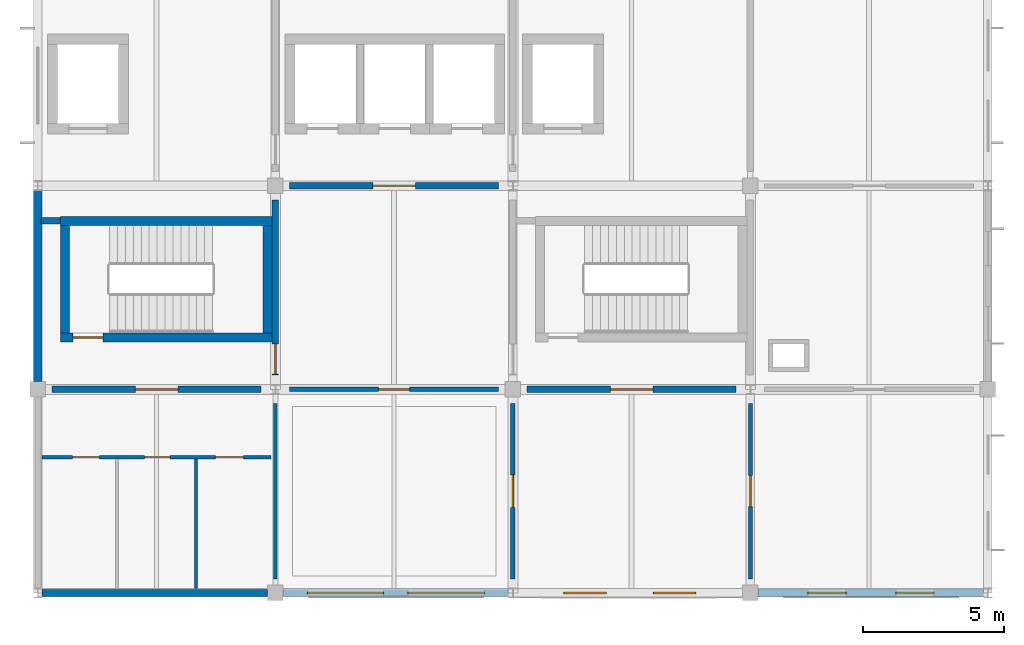
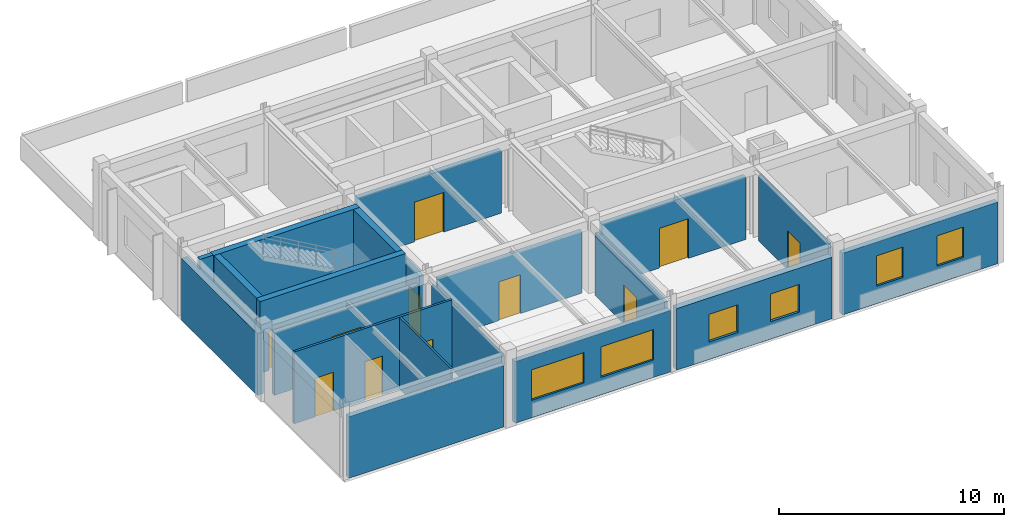
# One storey, part 2 of 5: 20 walls, 11 doors, 6 windows, 17 openings.
"""IFC4 building model written with IfcOpenShell, lengths in metres."""

from ifc_helpers import new_model, si_unit, derived_unit, direction, frame, frame_2d, origin, place, context, subcontext, project, spatial, rectangle, extrude, material, layer, layer_set, type_object, element, fill, save


model = new_model("IFC4")

# Units and contexts
model_context = context("Model", 3, precision=1e-05, world=origin(), true_north=direction((0.0, 1.0)))
body_context = subcontext(model_context, "Body", "Model", "MODEL_VIEW")
ifc_project = project(units=[si_unit("LENGTHUNIT", "METRE"), si_unit("AREAUNIT", "SQUARE_METRE"), si_unit("VOLUMEUNIT", "CUBIC_METRE"), si_unit("PLANEANGLEUNIT", "RADIAN"), si_unit("MASSUNIT", "GRAM", prefix="KILO"), derived_unit("THERMALTRANSMITTANCEUNIT", [(si_unit("MASSUNIT", "GRAM", prefix="KILO"), 1), (si_unit("TIMEUNIT", "SECOND"), -3), (si_unit("THERMODYNAMICTEMPERATUREUNIT", "KELVIN"), -1)])], contexts=[model_context])

# Site, building, storey
site_placement = place(None, origin())
site = spatial("IfcSite", under=ifc_project, at=site_placement, CompositionType="ELEMENT")
building_placement = place(site_placement, origin())
building = spatial("IfcBuilding", under=site, at=building_placement, Name="Veldstrom Oceanarium and Marine Research Institute", CompositionType="ELEMENT")
storey_placement = place(building_placement, frame((0.0, 0.0, 64.800048828125)))
storey = spatial("IfcBuildingStorey", under=building, at=storey_placement, Name="L14", CompositionType="ELEMENT", Elevation=64.800048828125)

# Wall
ifc_material_1 = material(Name="Masonry Cavity Wall", Category="masonry")
ifc_layer_1 = layer(ifc_material_1, 0.31005859375)
ifc_layer_set_1 = layer_set([ifc_layer_1], Name="ARC-WAL-EW1")
wall_type_1 = type_object("IfcWallType", Name="ARC-WAL-EW1", PredefinedType="SOLIDWALL", material=ifc_layer_set_1)
wall_1_placement = place(storey_placement, frame((75.60009765625, 50.675048828125, 0.0), z_axis=(0.0, 0.0, 1.0), x_axis=(0.0, 1.0, 0.0)))
element("IfcWall", 1, at=wall_1_placement, inside=storey, type_object=wall_type_1, Name="Exterior Facade Wall EW1 L14-269", PredefinedType="SOLIDWALL", context=body_context, shape_type="SweptSolid", body=[
    extrude(rectangle(XDim=6.7548828125, YDim=0.31005859375, at=frame_2d((3.37744140625, 0.0))), origin(), (0.0, 0.0, 1.0), 3.344970703125),
])

# Wall, openings, windows
wall_2_placement = place(storey_placement, frame((92.550048828125, 43.199951171875, 0.0), z_axis=(0.0, 0.0, 1.0), x_axis=(1.0, 0.0, 0.0)))
wall_2 = element("IfcWall", 2, at=wall_2_placement, inside=storey, type_object=wall_type_1, Name="Exterior Facade Wall EW1 L14-274", PredefinedType="SOLIDWALL", context=body_context, shape_type="SweptSolid", body=[
    extrude(rectangle(XDim=7.974853515625, YDim=0.31005859375, at=frame_2d((3.9873046875, 0.0))), origin(), (0.0, 0.0, 1.0), 3.344970703125),
])
opening_1_placement = place(wall_2_placement, frame((1.658203125, 0.0, 0.949951171875)))
opening_1 = element("IfcOpeningElement", 3, at=opening_1_placement, cuts=wall_2, Name="Opening W15", PredefinedType="OPENING", context=body_context, shape_type="SweptSolid", body=[
    extrude(rectangle(XDim=1.5, YDim=1.5, at=frame_2d((0.75, 0.75))), frame((0.0, 0.1650390625, 0.0), z_axis=(0.0, -1.0, 0.0), x_axis=(1.0, 0.0, 0.0)), (0.0, 0.0, 1.0), 0.330078125),
])
opening_2_placement = place(wall_2_placement, frame((4.816650390625, 0.0, 0.949951171875)))
opening_2 = element("IfcOpeningElement", 4, at=opening_2_placement, cuts=wall_2, Name="Opening W15", PredefinedType="OPENING", context=body_context, shape_type="SweptSolid", body=[
    extrude(rectangle(XDim=1.5, YDim=1.5, at=frame_2d((0.75, 0.75))), frame((0.0, 0.1650390625, 0.0), z_axis=(0.0, -1.0, 0.0), x_axis=(1.0, 0.0, 0.0)), (0.0, 0.0, 1.0), 0.330078125),
])
ifc_material_2 = material(Name="Double Glazed Low-E IGU", Category="glass")
window_type_1 = type_object("IfcWindowType", Name="ARC-WIN-W15", PartitioningType="SINGLE_PANEL", PredefinedType="WINDOW", material=ifc_material_2)
window_1_placement = place(opening_1_placement, origin())
window_1 = element("IfcWindow", 5, at=window_1_placement, inside=storey, type_object=window_type_1, Name="Facade Window W15 L14-0266", OverallHeight=1.5, OverallWidth=1.5, PartitioningType="SINGLE_PANEL", PredefinedType="WINDOW", context=body_context, shape_type="SweptSolid", body=[
    extrude(rectangle(XDim=1.5, YDim=1.5, at=frame_2d((0.75, 0.75))), frame((0.0, 0.030029296875, 0.0), z_axis=(0.0, -1.0, 0.0), x_axis=(1.0, 0.0, 0.0)), (0.0, 0.0, 1.0), 0.06005859375),
])
fill(opening_1, window_1)
window_2_placement = place(opening_2_placement, origin())
window_2 = element("IfcWindow", 6, at=window_2_placement, inside=storey, type_object=window_type_1, Name="Facade Window W15 L14-0267", OverallHeight=1.5, OverallWidth=1.5, PartitioningType="SINGLE_PANEL", PredefinedType="WINDOW", context=body_context, shape_type="SweptSolid", body=[
    extrude(rectangle(XDim=1.5, YDim=1.5, at=frame_2d((0.75, 0.75))), frame((0.0, 0.030029296875, 0.0), z_axis=(0.0, -1.0, 0.0), x_axis=(1.0, 0.0, 0.0)), (0.0, 0.0, 1.0), 0.06005859375),
])
fill(opening_2, window_2)

ifc_material_3 = material(Name="Masonry Cavity Wall", Category="masonry")
ifc_layer_2 = layer(ifc_material_3, 0.27001953125)
ifc_layer_set_2 = layer_set([ifc_layer_2], Name="ARC-WAL-EW3")
wall_type_2 = type_object("IfcWallType", Name="ARC-WAL-EW3", PredefinedType="SOLIDWALL", material=ifc_layer_set_2)
wall_3_placement = place(storey_placement, frame((101.074951171875, 43.199951171875, 0.0), z_axis=(0.0, 0.0, 1.0), x_axis=(1.0, 0.0, 0.0)))
wall_3 = element("IfcWall", 7, at=wall_3_placement, inside=storey, type_object=wall_type_2, Name="Exterior Facade Wall EW3 L14-276", PredefinedType="SOLIDWALL", context=body_context, shape_type="SweptSolid", body=[
    extrude(rectangle(XDim=7.97509765625, YDim=0.27001953125, at=frame_2d((3.987548828125, 0.0))), origin(), (0.0, 0.0, 1.0), 3.344970703125),
])
opening_3_placement = place(wall_3_placement, frame((1.75830078125, 0.0, 0.949951171875)))
opening_3 = element("IfcOpeningElement", 8, at=opening_3_placement, cuts=wall_3, Name="Opening W24", PredefinedType="OPENING", context=body_context, shape_type="SweptSolid", body=[
    extrude(rectangle(XDim=1.35009765625, YDim=1.64990234375, at=frame_2d((0.675048828125, 0.824951171875))), frame((0.0, 0.14501953125, 0.0), z_axis=(0.0, -1.0, 0.0), x_axis=(1.0, 0.0, 0.0)), (0.0, 0.0, 1.0), 0.2900390625),
])
opening_4_placement = place(wall_3_placement, frame((4.86669921875, 0.0, 0.949951171875)))
opening_4 = element("IfcOpeningElement", 9, at=opening_4_placement, cuts=wall_3, Name="Opening W24", PredefinedType="OPENING", context=body_context, shape_type="SweptSolid", body=[
    extrude(rectangle(XDim=1.35009765625, YDim=1.64990234375, at=frame_2d((0.675048828125, 0.824951171875))), frame((0.0, 0.14501953125, 0.0), z_axis=(0.0, -1.0, 0.0), x_axis=(1.0, 0.0, 0.0)), (0.0, 0.0, 1.0), 0.2900390625),
])
ifc_material_4 = material(Name="Double Glazed Low-E IGU", Category="glass")
window_type_2 = type_object("IfcWindowType", Name="ARC-WIN-W24", PartitioningType="SINGLE_PANEL", PredefinedType="WINDOW", material=ifc_material_4)
window_3_placement = place(opening_3_placement, origin())
window_3 = element("IfcWindow", 10, at=window_3_placement, inside=storey, type_object=window_type_2, Name="Facade Window W24 L14-0270", OverallHeight=1.64990234375, OverallWidth=1.35009765625, PartitioningType="SINGLE_PANEL", PredefinedType="WINDOW", context=body_context, shape_type="SweptSolid", body=[
    extrude(rectangle(XDim=1.35009765625, YDim=1.64990234375, at=frame_2d((0.675048828125, 0.824951171875))), frame((0.0, 0.030029296875, 0.0), z_axis=(0.0, -1.0, 0.0), x_axis=(1.0, 0.0, 0.0)), (0.0, 0.0, 1.0), 0.06005859375),
])
fill(opening_3, window_3)
window_4_placement = place(opening_4_placement, origin())
window_4 = element("IfcWindow", 11, at=window_4_placement, inside=storey, type_object=window_type_2, Name="Facade Window W24 L14-0271", OverallHeight=1.64990234375, OverallWidth=1.35009765625, PartitioningType="SINGLE_PANEL", PredefinedType="WINDOW", context=body_context, shape_type="SweptSolid", body=[
    extrude(rectangle(XDim=1.35009765625, YDim=1.64990234375, at=frame_2d((0.675048828125, 0.824951171875))), frame((0.0, 0.030029296875, 0.0), z_axis=(0.0, -1.0, 0.0), x_axis=(1.0, 0.0, 0.0)), (0.0, 0.0, 1.0), 0.06005859375),
])
fill(opening_4, window_4)

# Wall
ifc_material_5 = material(Name="Masonry Cavity Wall", Category="masonry")
ifc_layer_3 = layer(ifc_material_5, 0.25)
ifc_layer_set_3 = layer_set([ifc_layer_3], Name="ARC-WAL-EW5")
wall_type_3 = type_object("IfcWallType", Name="ARC-WAL-EW5", PredefinedType="SOLIDWALL", material=ifc_layer_set_3)
wall_4_placement = place(storey_placement, frame((75.75, 43.199951171875, 0.0), z_axis=(0.0, 0.0, 1.0), x_axis=(1.0, 0.0, 0.0)))
element("IfcWall", 12, at=wall_4_placement, inside=storey, type_object=wall_type_3, Name="Exterior Facade Wall EW5 L14-267", PredefinedType="SOLIDWALL", context=body_context, shape_type="SweptSolid", body=[
    extrude(rectangle(XDim=7.97509765625, YDim=0.25, at=frame_2d((3.987548828125, 0.0))), origin(), (0.0, 0.0, 1.0), 3.344970703125),
])

# Wall, openings, windows
wall_5_placement = place(storey_placement, frame((84.27490234375, 43.199951171875, 0.0), z_axis=(0.0, 0.0, 1.0), x_axis=(1.0, 0.0, 0.0)))
wall_5 = element("IfcWall", 13, at=wall_5_placement, inside=storey, type_object=wall_type_3, Name="Exterior Facade Wall EW5 L14-272", PredefinedType="SOLIDWALL", context=body_context, shape_type="SweptSolid", body=[
    extrude(rectangle(XDim=7.97509765625, YDim=0.25, at=frame_2d((3.987548828125, 0.0))), origin(), (0.0, 0.0, 1.0), 3.344970703125),
])
opening_5_placement = place(wall_5_placement, frame((0.8583984375, 0.0, 0.949951171875)))
opening_5 = element("IfcOpeningElement", 14, at=opening_5_placement, cuts=wall_5, Name="Opening W25", PredefinedType="OPENING", context=body_context, shape_type="SweptSolid", body=[
    extrude(rectangle(XDim=2.699951171875, YDim=1.64990234375, at=frame_2d((1.35009765625, 0.824951171875))), frame((0.0, 0.135009765625, 0.0), z_axis=(0.0, -1.0, 0.0), x_axis=(1.0, 0.0, 0.0)), (0.0, 0.0, 1.0), 0.27001953125),
])
opening_6_placement = place(wall_5_placement, frame((4.416748046875, 0.0, 0.949951171875)))
opening_6 = element("IfcOpeningElement", 15, at=opening_6_placement, cuts=wall_5, Name="Opening W25", PredefinedType="OPENING", context=body_context, shape_type="SweptSolid", body=[
    extrude(rectangle(XDim=2.699951171875, YDim=1.64990234375, at=frame_2d((1.35009765625, 0.824951171875))), frame((0.0, 0.135009765625, 0.0), z_axis=(0.0, -1.0, 0.0), x_axis=(1.0, 0.0, 0.0)), (0.0, 0.0, 1.0), 0.27001953125),
])
ifc_material_6 = material(Name="Double Glazed Low-E IGU", Category="glass")
window_type_3 = type_object("IfcWindowType", Name="ARC-WIN-W25", PartitioningType="SINGLE_PANEL", PredefinedType="WINDOW", material=ifc_material_6)
window_5_placement = place(opening_5_placement, origin())
window_5 = element("IfcWindow", 16, at=window_5_placement, inside=storey, type_object=window_type_3, Name="Facade Window W25 L14-0262", OverallHeight=1.64990234375, OverallWidth=2.699951171875, PartitioningType="SINGLE_PANEL", PredefinedType="WINDOW", context=body_context, shape_type="SweptSolid", body=[
    extrude(rectangle(XDim=2.699951171875, YDim=1.64990234375, at=frame_2d((1.35009765625, 0.824951171875))), frame((0.0, 0.030029296875, 0.0), z_axis=(0.0, -1.0, 0.0), x_axis=(1.0, 0.0, 0.0)), (0.0, 0.0, 1.0), 0.06005859375),
])
fill(opening_5, window_5)
window_6_placement = place(opening_6_placement, origin())
window_6 = element("IfcWindow", 17, at=window_6_placement, inside=storey, type_object=window_type_3, Name="Facade Window W25 L14-0263", OverallHeight=1.64990234375, OverallWidth=2.699951171875, PartitioningType="SINGLE_PANEL", PredefinedType="WINDOW", context=body_context, shape_type="SweptSolid", body=[
    extrude(rectangle(XDim=2.699951171875, YDim=1.64990234375, at=frame_2d((1.35009765625, 0.824951171875))), frame((0.0, 0.030029296875, 0.0), z_axis=(0.0, -1.0, 0.0), x_axis=(1.0, 0.0, 0.0)), (0.0, 0.0, 1.0), 0.06005859375),
])
fill(opening_6, window_6)

# Wall, opening, door
ifc_material_7 = material(Name="Masonry Fire Compartment Wall", Category="masonry")
ifc_layer_4 = layer(ifc_material_7, 0.22998046875)
ifc_layer_set_4 = layer_set([ifc_layer_4], Name="ARC-WAL-PT1")
wall_type_4 = type_object("IfcWallType", Name="ARC-WAL-PT1", PredefinedType="PARTITIONING", material=ifc_layer_set_4)
wall_6_placement = place(storey_placement, frame((76.10009765625, 50.39990234375, 0.0), z_axis=(0.0, 0.0, 1.0), x_axis=(1.0, 0.0, 0.0)))
wall_6 = element("IfcWall", 18, at=wall_6_placement, inside=storey, type_object=wall_type_4, Name="Interior Partition PT1 L14-1769", PredefinedType="PARTITIONING", context=body_context, shape_type="SweptSolid", body=[
    extrude(rectangle(XDim=7.39990234375, YDim=0.22998046875, at=frame_2d((3.699951171875, 0.0))), origin(), (0.0, 0.0, 1.0), 3.39501953125),
])
opening_7_placement = place(wall_6_placement, frame((2.949951171875, 0.0, 0.0)))
opening_7 = element("IfcOpeningElement", 19, at=opening_7_placement, cuts=wall_6, Name="Opening D-L14-1094", PredefinedType="OPENING", context=body_context, shape_type="SweptSolid", body=[
    extrude(rectangle(XDim=1.5, YDim=2.14990234375, at=frame_2d((0.75, 1.074951171875))), frame((0.0, 0.125, 0.0), z_axis=(0.0, -1.0, 0.0), x_axis=(1.0, 0.0, 0.0)), (0.0, 0.0, 1.0), 0.25),
])
ifc_material_8 = material(Name="Painted Steel Lobby Fire Door", Category="steel")
door_type_1 = type_object("IfcDoorType", Name="ARC-DOR-SD2", OperationType="DOUBLE_DOOR_SINGLE_SWING", PredefinedType="DOOR", material=ifc_material_8)
door_1_placement = place(opening_7_placement, frame((1.5, 0.0, 0.0), z_axis=(0.0, 0.0, 1.0), x_axis=(-1.0, 0.0, 0.0)))
door_1 = element("IfcDoor", 20, at=door_1_placement, inside=storey, type_object=door_type_1, Name="Interior Door D-L14-1094", OperationType="DOUBLE_DOOR_SINGLE_SWING", OverallHeight=2.14990234375, OverallWidth=1.5, PredefinedType="DOOR", context=body_context, shape_type="SweptSolid", body=[
    extrude(rectangle(XDim=1.5, YDim=2.14990234375, at=frame_2d((0.75, 1.074951171875))), frame((0.0, 0.02490234375, 0.0), z_axis=(0.0, -1.0, 0.0), x_axis=(1.0, 0.0, 0.0)), (0.0, 0.0, 1.0), 0.050048828125),
])
fill(opening_7, door_1)

wall_7_placement = place(storey_placement, frame((84.0, 50.89990234375, 0.0), z_axis=(0.0, 0.0, 1.0), x_axis=(0.0, 1.0, 0.0)))
wall_7 = element("IfcWall", 21, at=wall_7_placement, inside=storey, type_object=wall_type_4, Name="Interior Partition PT1 L14-1770", PredefinedType="PARTITIONING", context=body_context, shape_type="SweptSolid", body=[
    extrude(rectangle(XDim=6.2001953125, YDim=0.22998046875, at=frame_2d((3.10009765625, 0.0))), origin(), (0.0, 0.0, 1.0), 3.39501953125),
])
opening_8_placement = place(wall_7_placement, frame((0.050048828125, 0.0, 0.0)))
opening_8 = element("IfcOpeningElement", 22, at=opening_8_placement, cuts=wall_7, Name="Opening D-L14-1095", PredefinedType="OPENING", context=body_context, shape_type="SweptSolid", body=[
    extrude(rectangle(XDim=1.050048828125, YDim=2.14990234375, at=frame_2d((0.52490234375, 1.074951171875))), frame((0.0, 0.125, 0.0), z_axis=(0.0, -1.0, 0.0), x_axis=(1.0, 0.0, 0.0)), (0.0, 0.0, 1.0), 0.25),
])
ifc_material_9 = material(Name="Painted Steel Fire Door", Category="steel")
door_type_2 = type_object("IfcDoorType", Name="ARC-DOR-SD1", OperationType="SINGLE_SWING_LEFT", PredefinedType="DOOR", material=ifc_material_9)
door_2_placement = place(opening_8_placement, frame((1.050048828125, 0.0, 0.0), z_axis=(0.0, 0.0, 1.0), x_axis=(-1.0, 0.0, 0.0)))
door_2 = element("IfcDoor", 23, at=door_2_placement, inside=storey, type_object=door_type_2, Name="Interior Door D-L14-1095", OperationType="SINGLE_SWING_RIGHT", OverallHeight=2.14990234375, OverallWidth=1.050048828125, PredefinedType="DOOR", context=body_context, shape_type="SweptSolid", body=[
    extrude(rectangle(XDim=1.050048828125, YDim=2.14990234375, at=frame_2d((0.52490234375, 1.074951171875))), frame((0.0, 0.02490234375, 0.0), z_axis=(0.0, -1.0, 0.0), x_axis=(1.0, 0.0, 0.0)), (0.0, 0.0, 1.0), 0.050048828125),
])
fill(opening_8, door_2)

# Wall
wall_8_placement = place(storey_placement, frame((75.719970703125, 56.360107421875, 0.0), z_axis=(0.0, 0.0, 1.0), x_axis=(1.0, 0.0, 0.0)))
element("IfcWall", 24, at=wall_8_placement, inside=storey, type_object=wall_type_4, Name="Interior Partition PT1 L14-1771", PredefinedType="PARTITIONING", context=body_context, shape_type="SweptSolid", body=[
    extrude(rectangle(XDim=0.679931640625, YDim=0.22998046875, at=frame_2d((0.33984375, 0.0))), origin(), (0.0, 0.0, 1.0), 3.89990234375),
])

# Wall, opening, door
wall_9_placement = place(storey_placement, frame((84.5, 57.60009765625, 0.0), z_axis=(0.0, 0.0, 1.0), x_axis=(1.0, 0.0, 0.0)))
wall_9 = element("IfcWall", 25, at=wall_9_placement, inside=storey, type_object=wall_type_4, Name="Interior Partition PT1 L14-1776", PredefinedType="PARTITIONING", context=body_context, shape_type="SweptSolid", body=[
    extrude(rectangle(XDim=7.39990234375, YDim=0.22998046875, at=frame_2d((3.699951171875, 0.0))), origin(), (0.0, 0.0, 1.0), 3.39501953125),
])
opening_9_placement = place(wall_9_placement, frame((2.949951171875, 0.0, 0.0)))
opening_9 = element("IfcOpeningElement", 26, at=opening_9_placement, cuts=wall_9, Name="Opening D-L14-1100", PredefinedType="OPENING", context=body_context, shape_type="SweptSolid", body=[
    extrude(rectangle(XDim=1.5, YDim=2.14990234375, at=frame_2d((0.75, 1.074951171875))), frame((0.0, 0.125, 0.0), z_axis=(0.0, -1.0, 0.0), x_axis=(1.0, 0.0, 0.0)), (0.0, 0.0, 1.0), 0.25),
])
door_3_placement = place(opening_9_placement, origin())
door_3 = element("IfcDoor", 27, at=door_3_placement, inside=storey, type_object=door_type_1, Name="Interior Door D-L14-1100", OperationType="DOUBLE_DOOR_SINGLE_SWING", OverallHeight=2.14990234375, OverallWidth=1.5, PredefinedType="DOOR", context=body_context, shape_type="SweptSolid", body=[
    extrude(rectangle(XDim=1.5, YDim=2.14990234375, at=frame_2d((0.75, 1.074951171875))), frame((0.0, 0.02490234375, 0.0), z_axis=(0.0, -1.0, 0.0), x_axis=(1.0, 0.0, 0.0)), (0.0, 0.0, 1.0), 0.050048828125),
])
fill(opening_9, door_3)

wall_10_placement = place(storey_placement, frame((92.89990234375, 50.39990234375, 0.0), z_axis=(0.0, 0.0, 1.0), x_axis=(1.0, 0.0, 0.0)))
wall_10 = element("IfcWall", 28, at=wall_10_placement, inside=storey, type_object=wall_type_4, Name="Interior Partition PT1 L14-1779", PredefinedType="PARTITIONING", context=body_context, shape_type="SweptSolid", body=[
    extrude(rectangle(XDim=7.400146484375, YDim=0.22998046875, at=frame_2d((3.7001953125, 0.0))), origin(), (0.0, 0.0, 1.0), 3.39501953125),
])
opening_10_placement = place(wall_10_placement, frame((2.949951171875, 0.0, 0.0)))
opening_10 = element("IfcOpeningElement", 29, at=opening_10_placement, cuts=wall_10, Name="Opening D-L14-1103", PredefinedType="OPENING", context=body_context, shape_type="SweptSolid", body=[
    extrude(rectangle(XDim=1.5, YDim=2.14990234375, at=frame_2d((0.75, 1.074951171875))), frame((0.0, 0.125, 0.0), z_axis=(0.0, -1.0, 0.0), x_axis=(1.0, 0.0, 0.0)), (0.0, 0.0, 1.0), 0.25),
])
door_4_placement = place(opening_10_placement, frame((1.5, 0.0, 0.0), z_axis=(0.0, 0.0, 1.0), x_axis=(-1.0, 0.0, 0.0)))
door_4 = element("IfcDoor", 30, at=door_4_placement, inside=storey, type_object=door_type_1, Name="Interior Door D-L14-1103", OperationType="DOUBLE_DOOR_SINGLE_SWING", OverallHeight=2.14990234375, OverallWidth=1.5, PredefinedType="DOOR", context=body_context, shape_type="SweptSolid", body=[
    extrude(rectangle(XDim=1.5, YDim=2.14990234375, at=frame_2d((0.75, 1.074951171875))), frame((0.0, 0.02490234375, 0.0), z_axis=(0.0, -1.0, 0.0), x_axis=(1.0, 0.0, 0.0)), (0.0, 0.0, 1.0), 0.050048828125),
])
fill(opening_10, door_4)

ifc_material_10 = material(Name="Drywall Corridor Partition", Category="gypsum")
ifc_layer_5 = layer(ifc_material_10, 0.155029296875)
ifc_layer_set_5 = layer_set([ifc_layer_5], Name="ARC-WAL-PT4")
wall_type_5 = type_object("IfcWallType", Name="ARC-WAL-PT4", PredefinedType="PARTITIONING", material=ifc_layer_set_5)
wall_11_placement = place(storey_placement, frame((92.39990234375, 43.699951171875, 0.0), z_axis=(0.0, 0.0, 1.0), x_axis=(0.0, 1.0, 0.0)))
wall_11 = element("IfcWall", 31, at=wall_11_placement, inside=storey, type_object=wall_type_5, Name="Interior Partition PT4 L14-1773", PredefinedType="PARTITIONING", context=body_context, shape_type="SweptSolid", body=[
    extrude(rectangle(XDim=6.199951171875, YDim=0.155029296875, at=frame_2d((3.10009765625, 0.0))), origin(), (0.0, 0.0, 1.0), 3.39501953125),
])
opening_11_placement = place(wall_11_placement, frame((2.52490234375, 0.0, 0.0)))
opening_11 = element("IfcOpeningElement", 32, at=opening_11_placement, cuts=wall_11, Name="Opening D-L14-1097", PredefinedType="OPENING", context=body_context, shape_type="SweptSolid", body=[
    extrude(rectangle(XDim=1.14990234375, YDim=2.10009765625, at=frame_2d((0.574951171875, 1.050048828125))), frame((0.0, 0.08740234375, 0.0), z_axis=(0.0, -1.0, 0.0), x_axis=(1.0, 0.0, 0.0)), (0.0, 0.0, 1.0), 0.175048828125),
])
ifc_material_11 = material(Name="Fellows Studio Door", Category="timber")
door_type_3 = type_object("IfcDoorType", Name="ARC-DOR-ID17", OperationType="SINGLE_SWING_LEFT", PredefinedType="DOOR", material=ifc_material_11)
door_5_placement = place(opening_11_placement, frame((1.14990234375, 0.0, 0.0), z_axis=(0.0, 0.0, 1.0), x_axis=(-1.0, 0.0, 0.0)))
door_5 = element("IfcDoor", 33, at=door_5_placement, inside=storey, type_object=door_type_3, Name="Interior Door D-L14-1097", OperationType="SINGLE_SWING_RIGHT", OverallHeight=2.10009765625, OverallWidth=1.14990234375, PredefinedType="DOOR", context=body_context, shape_type="SweptSolid", body=[
    extrude(rectangle(XDim=1.14990234375, YDim=2.10009765625, at=frame_2d((0.574951171875, 1.050048828125))), frame((0.0, 0.02490234375, 0.0), z_axis=(0.0, -1.0, 0.0), x_axis=(1.0, 0.0, 0.0)), (0.0, 0.0, 1.0), 0.050048828125),
])
fill(opening_11, door_5)

wall_12_placement = place(storey_placement, frame((84.5, 50.39990234375, 0.0), z_axis=(0.0, 0.0, 1.0), x_axis=(1.0, 0.0, 0.0)))
wall_12 = element("IfcWall", 34, at=wall_12_placement, inside=storey, type_object=wall_type_5, Name="Interior Partition PT4 L14-1774", PredefinedType="PARTITIONING", context=body_context, shape_type="SweptSolid", body=[
    extrude(rectangle(XDim=7.39990234375, YDim=0.155029296875, at=frame_2d((3.699951171875, 0.0))), origin(), (0.0, 0.0, 1.0), 3.39501953125),
])
opening_12_placement = place(wall_12_placement, frame((3.14990234375, 0.0, 0.0)))
opening_12 = element("IfcOpeningElement", 35, at=opening_12_placement, cuts=wall_12, Name="Opening D-L14-1098", PredefinedType="OPENING", context=body_context, shape_type="SweptSolid", body=[
    extrude(rectangle(XDim=1.10009765625, YDim=2.10009765625, at=frame_2d((0.550048828125, 1.050048828125))), frame((0.0, 0.08740234375, 0.0), z_axis=(0.0, -1.0, 0.0), x_axis=(1.0, 0.0, 0.0)), (0.0, 0.0, 1.0), 0.175048828125),
])
ifc_material_12 = material(Name="Research Office Door", Category="timber")
door_type_4 = type_object("IfcDoorType", Name="ARC-DOR-ID07", OperationType="SINGLE_SWING_LEFT", PredefinedType="DOOR", material=ifc_material_12)
door_6_placement = place(opening_12_placement, frame((1.10009765625, 0.0, 0.0), z_axis=(0.0, 0.0, 1.0), x_axis=(-1.0, 0.0, 0.0)))
door_6 = element("IfcDoor", 36, at=door_6_placement, inside=storey, type_object=door_type_4, Name="Interior Door D-L14-1098", OperationType="SINGLE_SWING_RIGHT", OverallHeight=2.10009765625, OverallWidth=1.10009765625, PredefinedType="DOOR", context=body_context, shape_type="SweptSolid", body=[
    extrude(rectangle(XDim=1.10009765625, YDim=2.10009765625, at=frame_2d((0.550048828125, 1.050048828125))), frame((0.0, 0.02490234375, 0.0), z_axis=(0.0, -1.0, 0.0), x_axis=(1.0, 0.0, 0.0)), (0.0, 0.0, 1.0), 0.050048828125),
])
fill(opening_12, door_6)

ifc_material_13 = material(Name="Moisture-Resistant Wet-Area Partition", Category="masonry")
ifc_layer_6 = layer(ifc_material_13, 0.139892578125)
ifc_layer_set_6 = layer_set([ifc_layer_6], Name="ARC-WAL-PT5")
wall_type_6 = type_object("IfcWallType", Name="ARC-WAL-PT5", PredefinedType="PARTITIONING", material=ifc_layer_set_6)
wall_13_placement = place(storey_placement, frame((100.800048828125, 43.699951171875, 0.0), z_axis=(0.0, 0.0, 1.0), x_axis=(0.0, 1.0, 0.0)))
wall_13 = element("IfcWall", 37, at=wall_13_placement, inside=storey, type_object=wall_type_6, Name="Interior Partition PT5 L14-1778", PredefinedType="PARTITIONING", context=body_context, shape_type="SweptSolid", body=[
    extrude(rectangle(XDim=6.199951171875, YDim=0.139892578125, at=frame_2d((3.10009765625, 0.0))), origin(), (0.0, 0.0, 1.0), 3.60498046875),
])
opening_13_placement = place(wall_13_placement, frame((2.550048828125, 0.0, 0.0)))
opening_13 = element("IfcOpeningElement", 38, at=opening_13_placement, cuts=wall_13, Name="Opening D-L14-1102", PredefinedType="OPENING", context=body_context, shape_type="SweptSolid", body=[
    extrude(rectangle(XDim=1.10009765625, YDim=2.10009765625, at=frame_2d((0.550048828125, 1.050048828125))), frame((0.0, 0.079833984375, 0.0), z_axis=(0.0, -1.0, 0.0), x_axis=(1.0, 0.0, 0.0)), (0.0, 0.0, 1.0), 0.159912109375),
])
door_7_placement = place(opening_13_placement, origin())
door_7 = element("IfcDoor", 39, at=door_7_placement, inside=storey, type_object=door_type_4, Name="Interior Door D-L14-1102", OperationType="SINGLE_SWING_RIGHT", OverallHeight=2.10009765625, OverallWidth=1.10009765625, PredefinedType="DOOR", context=body_context, shape_type="SweptSolid", body=[
    extrude(rectangle(XDim=1.10009765625, YDim=2.10009765625, at=frame_2d((0.550048828125, 1.050048828125))), frame((0.0, 0.02490234375, 0.0), z_axis=(0.0, -1.0, 0.0), x_axis=(1.0, 0.0, 0.0)), (0.0, 0.0, 1.0), 0.050048828125),
])
fill(opening_13, door_7)

# Wall, openings, doors
ifc_material_14 = material(Name="Lightweight Studio Partition", Category="gypsum")
ifc_layer_7 = layer(ifc_material_14, 0.1201171875)
ifc_layer_set_7 = layer_set([ifc_layer_7], Name="ARC-WAL-PT6")
wall_type_7 = type_object("IfcWallType", Name="ARC-WAL-PT6", PredefinedType="PARTITIONING", material=ifc_layer_set_7)
wall_14_placement = place(storey_placement, frame((75.75, 48.0, 0.0), z_axis=(0.0, 0.0, 1.0), x_axis=(1.0, 0.0, 0.0)))
wall_14 = element("IfcWall", 40, at=wall_14_placement, inside=storey, type_object=wall_type_7, Name="Sanitary Vestibule Partition L14-9", PredefinedType="PARTITIONING", context=body_context, shape_type="SweptSolid", body=[
    extrude(rectangle(XDim=8.10009765625, YDim=0.1201171875, at=frame_2d((4.050048828125, 0.0))), origin(), (0.0, 0.0, 1.0), 3.89990234375),
])
opening_14_placement = place(wall_14_placement, frame((1.080078125, 0.0, 0.0)))
opening_14 = element("IfcOpeningElement", 41, at=opening_14_placement, cuts=wall_14, Name="Opening D-L14-WC1091", PredefinedType="OPENING", context=body_context, shape_type="SweptSolid", body=[
    extrude(rectangle(XDim=0.949951171875, YDim=2.10009765625, at=frame_2d((0.47509765625, 1.050048828125))), frame((0.0, 0.070068359375, 0.0), z_axis=(0.0, -1.0, 0.0), x_axis=(1.0, 0.0, 0.0)), (0.0, 0.0, 1.0), 0.14013671875),
])
opening_15_placement = place(wall_14_placement, frame((3.6298828125, 0.0, 0.0)))
opening_15 = element("IfcOpeningElement", 42, at=opening_15_placement, cuts=wall_14, Name="Opening D-L14-WC1092", PredefinedType="OPENING", context=body_context, shape_type="SweptSolid", body=[
    extrude(rectangle(XDim=0.89990234375, YDim=2.10009765625, at=frame_2d((0.449951171875, 1.050048828125))), frame((0.0, 0.070068359375, 0.0), z_axis=(0.0, -1.0, 0.0), x_axis=(1.0, 0.0, 0.0)), (0.0, 0.0, 1.0), 0.14013671875),
])
opening_16_placement = place(wall_14_placement, frame((6.1298828125, 0.0, 0.0)))
opening_16 = element("IfcOpeningElement", 43, at=opening_16_placement, cuts=wall_14, Name="Opening D-L14-WC1093", PredefinedType="OPENING", context=body_context, shape_type="SweptSolid", body=[
    extrude(rectangle(XDim=1.0, YDim=2.10009765625, at=frame_2d((0.5, 1.050048828125))), frame((0.0, 0.070068359375, 0.0), z_axis=(0.0, -1.0, 0.0), x_axis=(1.0, 0.0, 0.0)), (0.0, 0.0, 1.0), 0.14013671875),
])
ifc_material_15 = material(Name="Accessible Sanitary Door", Category="timber")
door_type_5 = type_object("IfcDoorType", Name="ARC-DOR-ID08", OperationType="SINGLE_SWING_RIGHT", PredefinedType="DOOR", material=ifc_material_15)
door_8_placement = place(opening_16_placement, frame((1.0, 0.0, 0.0), z_axis=(0.0, 0.0, 1.0), x_axis=(-1.0, 0.0, 0.0)))
door_8 = element("IfcDoor", 44, at=door_8_placement, inside=storey, type_object=door_type_5, Name="Accessible WC Door D-L14-WC1093", OperationType="SINGLE_SWING_RIGHT", OverallHeight=2.10009765625, OverallWidth=1.0, PredefinedType="DOOR", context=body_context, shape_type="SweptSolid", body=[
    extrude(rectangle(XDim=1.0, YDim=2.10009765625, at=frame_2d((0.5, 1.050048828125))), frame((0.0, 0.02490234375, 0.0), z_axis=(0.0, -1.0, 0.0), x_axis=(1.0, 0.0, 0.0)), (0.0, 0.0, 1.0), 0.050048828125),
])
fill(opening_16, door_8)
ifc_material_16 = material(Name="Staff Sanitary Door", Category="timber")
door_type_6 = type_object("IfcDoorType", Name="ARC-DOR-ID09", OperationType="SINGLE_SWING_LEFT", PredefinedType="DOOR", material=ifc_material_16)
door_9_placement = place(opening_14_placement, frame((0.949951171875, 0.0, 0.0), z_axis=(0.0, 0.0, 1.0), x_axis=(-1.0, 0.0, 0.0)))
door_9 = element("IfcDoor", 45, at=door_9_placement, inside=storey, type_object=door_type_6, Name="Male WC Door D-L14-WC1091", OperationType="SINGLE_SWING_RIGHT", OverallHeight=2.10009765625, OverallWidth=0.949951171875, PredefinedType="DOOR", context=body_context, shape_type="SweptSolid", body=[
    extrude(rectangle(XDim=0.949951171875, YDim=2.10009765625, at=frame_2d((0.47509765625, 1.050048828125))), frame((0.0, 0.02490234375, 0.0), z_axis=(0.0, -1.0, 0.0), x_axis=(1.0, 0.0, 0.0)), (0.0, 0.0, 1.0), 0.050048828125),
])
fill(opening_14, door_9)
ifc_material_17 = material(Name="Internal Sanitary Door", Category="timber")
door_type_7 = type_object("IfcDoorType", Name="ARC-DOR-ID10", OperationType="SINGLE_SWING_RIGHT", PredefinedType="DOOR", material=ifc_material_17)
door_10_placement = place(opening_15_placement, frame((0.89990234375, 0.0, 0.0), z_axis=(0.0, 0.0, 1.0), x_axis=(-1.0, 0.0, 0.0)))
door_10 = element("IfcDoor", 46, at=door_10_placement, inside=storey, type_object=door_type_7, Name="Female WC Door D-L14-WC1092", OperationType="SINGLE_SWING_LEFT", OverallHeight=2.10009765625, OverallWidth=0.89990234375, PredefinedType="DOOR", context=body_context, shape_type="SweptSolid", body=[
    extrude(rectangle(XDim=0.89990234375, YDim=2.10009765625, at=frame_2d((0.449951171875, 1.050048828125))), frame((0.0, 0.02490234375, 0.0), z_axis=(0.0, -1.0, 0.0), x_axis=(1.0, 0.0, 0.0)), (0.0, 0.0, 1.0), 0.050048828125),
])
fill(opening_15, door_10)

# Walls
wall_15_placement = place(storey_placement, frame((84.0, 43.699951171875, 0.0), z_axis=(0.0, 0.0, 1.0), x_axis=(0.0, 1.0, 0.0)))
element("IfcWall", 47, at=wall_15_placement, inside=storey, type_object=wall_type_7, Name="Interior Partition PT6 L14-1768", PredefinedType="PARTITIONING", context=body_context, shape_type="SweptSolid", body=[
    extrude(rectangle(XDim=6.199951171875, YDim=0.1201171875, at=frame_2d((3.10009765625, 0.0))), origin(), (0.0, 0.0, 1.0), 3.494873046875),
])
ifc_material_18 = material(Name="Sanitary Cubicle Partition", Category="gypsum")
ifc_layer_8 = layer(ifc_material_18, 0.10009765625)
ifc_layer_set_8 = layer_set([ifc_layer_8], Name="ARC-WAL-PT7")
wall_type_8 = type_object("IfcWallType", Name="ARC-WAL-PT7", PredefinedType="PARTITIONING", material=ifc_layer_set_8)
wall_16_placement = place(storey_placement, frame((81.199951171875, 43.35009765625, 0.0), z_axis=(0.0, 0.0, 1.0), x_axis=(0.0, 1.0, 0.0)))
element("IfcWall", 48, at=wall_16_placement, inside=storey, type_object=wall_type_8, Name="Sanitary Stall Divider Wall L14-1767", PredefinedType="PARTITIONING", context=body_context, shape_type="SweptSolid", body=[
    extrude(rectangle(XDim=4.58984375, YDim=0.10009765625, at=frame_2d((2.294921875, 0.0))), origin(), (0.0, 0.0, 1.0), 3.89990234375),
])

# Wall, opening, door
ifc_material_19 = material(Name="Concrete C40/50", Category="concrete")
ifc_layer_9 = layer(ifc_material_19, 0.320068359375)
ifc_layer_set_9 = layer_set([ifc_layer_9], Name="STR-WAL-WC3")
wall_type_9 = type_object("IfcWallType", Name="STR-WAL-WC3", PredefinedType="SHEAR", material=ifc_layer_set_9)
wall_17_placement = place(storey_placement, frame((76.39990234375, 52.239990234375, 0.0), z_axis=(0.0, 0.0, 1.0), x_axis=(1.0, 0.0, 0.0)))
wall_17 = element("IfcWall", 49, at=wall_17_placement, inside=storey, type_object=wall_type_9, Name="Stair Core Shear Wall SC1-L14-S", PredefinedType="SHEAR", context=body_context, shape_type="SweptSolid", body=[
    extrude(rectangle(XDim=7.47998046875, YDim=0.320068359375, at=frame_2d((3.739990234375, 0.0))), origin(), (0.0, 0.0, 1.0), 3.89990234375),
])
opening_17_placement = place(wall_17_placement, frame((0.449951171875, 0.0, 0.0)))
opening_17 = element("IfcOpeningElement", 50, at=opening_17_placement, cuts=wall_17, Name="Opening D-ST1-L14", PredefinedType="OPENING", context=body_context, shape_type="SweptSolid", body=[
    extrude(rectangle(XDim=1.050048828125, YDim=2.14990234375, at=frame_2d((0.52490234375, 1.074951171875))), frame((0.0, 0.169921875, 0.0), z_axis=(0.0, -1.0, 0.0), x_axis=(1.0, 0.0, 0.0)), (0.0, 0.0, 1.0), 0.340087890625),
])
door_11_placement = place(opening_17_placement, origin())
door_11 = element("IfcDoor", 51, at=door_11_placement, inside=storey, type_object=door_type_2, Name="Escape Stair Fire Door D-ST1-L14", OperationType="SINGLE_SWING_LEFT", OverallHeight=2.14990234375, OverallWidth=1.050048828125, PredefinedType="DOOR", context=body_context, shape_type="SweptSolid", body=[
    extrude(rectangle(XDim=1.050048828125, YDim=2.14990234375, at=frame_2d((0.52490234375, 1.074951171875))), frame((0.0, 0.02490234375, 0.0), z_axis=(0.0, -1.0, 0.0), x_axis=(1.0, 0.0, 0.0)), (0.0, 0.0, 1.0), 0.050048828125),
])
fill(opening_17, door_11)

# Walls
wall_18_placement = place(storey_placement, frame((76.39990234375, 56.360107421875, 0.0), z_axis=(0.0, 0.0, 1.0), x_axis=(1.0, 0.0, 0.0)))
element("IfcWall", 52, at=wall_18_placement, inside=storey, type_object=wall_type_9, Name="Stair Core Shear Wall SC1-L14-N", PredefinedType="SHEAR", context=body_context, shape_type="SweptSolid", body=[
    extrude(rectangle(XDim=7.47998046875, YDim=0.320068359375, at=frame_2d((3.739990234375, 0.0))), origin(), (0.0, 0.0, 1.0), 3.89990234375),
])
for number, where, z_axis, x_axis, name in (
    (53, (76.56005859375, 52.39990234375, 0.0), (0.0, 0.0, 1.0), (0.0, 1.0, 0.0), "Stair Core Shear Wall SC1-L14-W"),
    (54, (83.719970703125, 52.39990234375, 0.0), (0.0, 0.0, 1.0), (0.0, 1.0, 0.0), "Stair Core Shear Wall SC1-L14-E"),
):
    element("IfcWall", number, at=place(storey_placement, frame(where, z_axis=z_axis, x_axis=x_axis)), inside=storey, type_object=wall_type_9, Name=name, PredefinedType="SHEAR", context=body_context, shape_type="SweptSolid", body=[
        extrude(rectangle(XDim=3.800048828125, YDim=0.320068359375, at=frame_2d((1.89990234375, 0.0))), origin(), (0.0, 0.0, 1.0), 3.89990234375),
    ])

save(model, "model.ifc")
